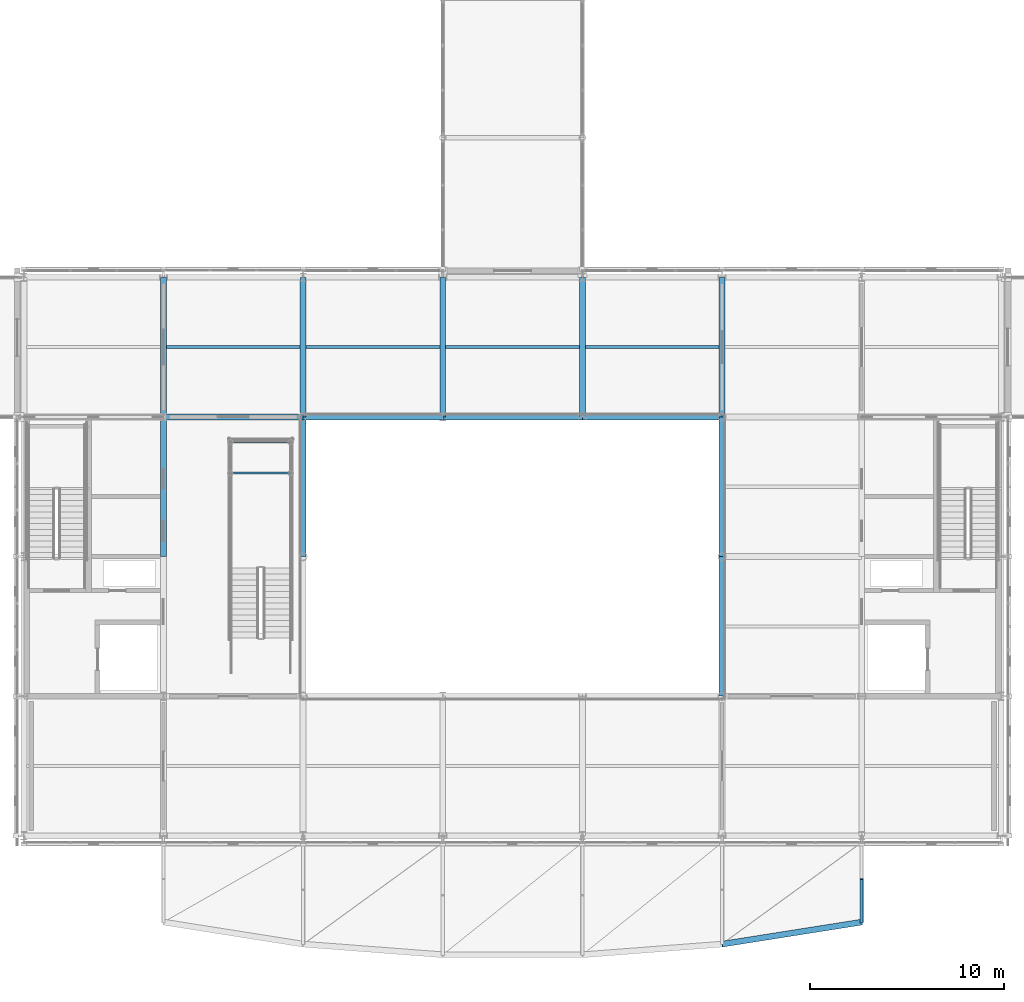
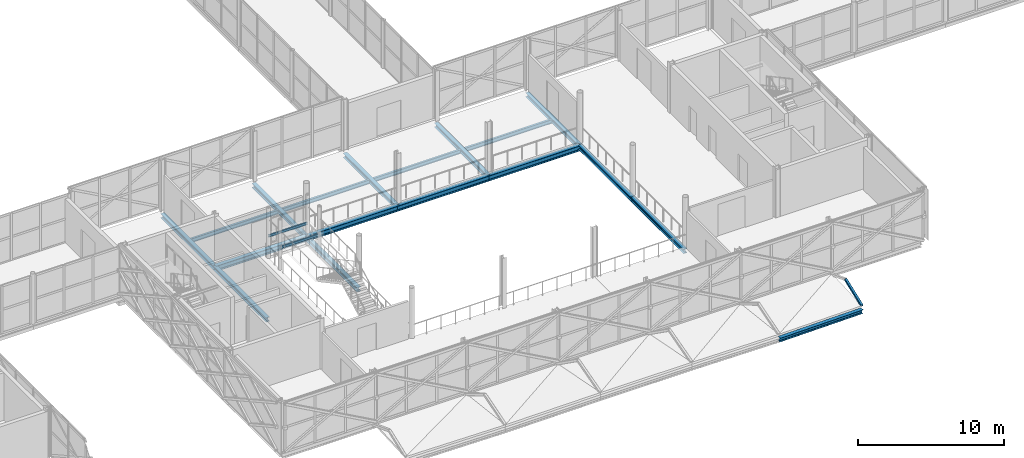
# One storey, part 40 of 146: 19 beams, 2 members.
"""IFC4 building model written with IfcOpenShell, lengths in metres."""

import ifcopenshell
import ifcopenshell.guid

model = None  # the IFC model being written
_history = None  # IfcOwnerHistory: only IFC2X3 demands one
_inside = {}  # id of a spatial element -> (the spatial element, [elements in it])
_under = {}  # id of a project, library or spatial element -> (it, [spatial elements below it])
_declared = {}  # id of a project -> (the project, [libraries it declares])
_typed = {}  # id of a type object -> (the type object, [elements of that type])
_made_of = {}  # id of a material, layer set ... -> (it, [elements and type objects made of it])


def new_model(schema):
    """Start an empty IFC model of exactly this schema.

    Asked for "IFC4X3", IfcOpenShell would pick the latest addendum, in which some entities
    have other attributes; the version numbers below select the first issue.
    IFC2X3 requires an IfcOwnerHistory on every rooted entity: one is made here for all.
    """
    global model, _history
    if schema == "IFC4X3":
        model = ifcopenshell.file(schema_version=(4, 3, 0, 0))
    else:
        model = ifcopenshell.file(schema=schema)
    _inside.clear()
    _under.clear()
    _declared.clear()
    _typed.clear()
    _made_of.clear()
    _history = None
    if model.schema == "IFC2X3":
        org = make("IfcOrganization", Name="unknown")
        user = make(
            "IfcPersonAndOrganization",
            ThePerson=make("IfcPerson", FamilyName="unknown"),
            TheOrganization=org,
        )
        app = make(
            "IfcApplication",
            ApplicationDeveloper=org,
            Version="unknown",
            ApplicationFullName="unknown",
            ApplicationIdentifier="unknown",
        )
        _history = make(
            "IfcOwnerHistory",
            OwningUser=user,
            OwningApplication=app,
            ChangeAction="ADDED",
            CreationDate=0,
        )
    return model


def make(cls, **values):
    """One entity of the class cls with the attributes given. An attribute that is None is left unset."""
    return model.create_entity(
        cls, **{name: value for name, value in values.items() if value is not None}
    )


def rooted(cls, **values):
    """An entity with a GlobalId (a new one), such as an element, a storey or a relation."""
    return make(cls, GlobalId=ifcopenshell.guid.new(), OwnerHistory=_history, **values)


def si_unit(unit_type, name, prefix=None):
    """IfcSIUnit, for example si_unit("LENGTHUNIT", "METRE", prefix="MILLI")."""
    return make("IfcSIUnit", UnitType=unit_type, Prefix=prefix, Name=name)


def assignment(units):
    """IfcUnitAssignment: the units of a project."""
    return None if units is None else make("IfcUnitAssignment", Units=units)


def point(xyz):
    """IfcCartesianPoint."""
    return None if xyz is None else make("IfcCartesianPoint", Coordinates=xyz)


def direction(xyz):
    """IfcDirection."""
    return None if xyz is None else make("IfcDirection", DirectionRatios=xyz)


def frame(location, z_axis=None, x_axis=None):
    """IfcAxis2Placement3D, a coordinate frame: its origin and axes. An axis left out is left unset."""
    return make(
        "IfcAxis2Placement3D",
        Location=point(location),
        Axis=direction(z_axis),
        RefDirection=direction(x_axis),
    )


def frame_2d(location, x_axis=None):
    """IfcAxis2Placement2D, a coordinate frame in the plane: its origin and x axis."""
    return make(
        "IfcAxis2Placement2D", Location=point(location), RefDirection=direction(x_axis)
    )


def origin():
    """The frame at (0, 0, 0) with its axes left unset."""
    return frame((0.0, 0.0, 0.0))


def origin_2d():
    """The frame at (0, 0) in the plane with its x axis left unset."""
    return frame_2d((0.0, 0.0))


def place(relative_to, where):
    """IfcLocalPlacement: puts the frame where relative to a parent placement (None: the world)."""
    return make(
        "IfcLocalPlacement", PlacementRelTo=relative_to, RelativePlacement=where
    )


def context(
    kind, dimensions, precision=None, world=None, true_north=None, identifier=None
):
    """IfcGeometricRepresentationContext, for example the 3D "Model" context."""
    return make(
        "IfcGeometricRepresentationContext",
        ContextIdentifier=identifier,
        ContextType=kind,
        CoordinateSpaceDimension=dimensions,
        Precision=precision,
        WorldCoordinateSystem=world,
        TrueNorth=true_north,
    )


def subcontext(parent, identifier, kind, view, scale=None):
    """IfcGeometricRepresentationSubContext, for example "Body" below "Model"."""
    return make(
        "IfcGeometricRepresentationSubContext",
        ContextIdentifier=identifier,
        ContextType=kind,
        ParentContext=parent,
        TargetScale=scale,
        TargetView=view,
    )


def project(units=None, contexts=None):
    """IfcProject with its units and contexts."""
    return rooted(
        "IfcProject",
        Name="project",
        RepresentationContexts=contexts,
        UnitsInContext=assignment(units),
    )


def spatial(cls, under=None, at=None, **own):
    """A site, building, storey or space (cls), placed at a placement, below another one or the project."""
    s = rooted(cls, ObjectPlacement=at, **own)
    if under is not None:
        _under.setdefault(under.id(), (under, []))[1].append(s)
    return s


def profile(cls, at=None, kind="AREA", **sizes):
    """A parametric profile (cls). Its sizes go by their IFC names, for example OverallWidth=200.0."""
    return make(cls, ProfileType=kind, Position=at, **sizes)


def hollow_rectangle(**sizes):
    """IfcRectangleHollowProfileDef."""
    return profile("IfcRectangleHollowProfileDef", **sizes)


def i_section(**sizes):
    """IfcIShapeProfileDef."""
    return profile("IfcIShapeProfileDef", **sizes)


def extrude(swept, where, along, depth):
    """IfcExtrudedAreaSolid: the profile swept, set in the frame where, extruded along a direction by depth."""
    return make(
        "IfcExtrudedAreaSolid",
        SweptArea=swept,
        Position=where,
        ExtrudedDirection=direction(along),
        Depth=depth,
    )


def shape(context_of_items, identifier, shape_type, items):
    """IfcShapeRepresentation: the items that make up one representation, for example the "Body"."""
    return make(
        "IfcShapeRepresentation",
        ContextOfItems=context_of_items,
        RepresentationIdentifier=identifier,
        RepresentationType=shape_type,
        Items=items,
    )


def material(Name=None, Category=None):
    """IfcMaterial."""
    return make("IfcMaterial", Name=Name, Category=Category)


def material_profile(
    of_material, cross_section, Name=None, Category=None, Priority=None
):
    """IfcMaterialProfile: a cross section and its material."""
    return make(
        "IfcMaterialProfile",
        Name=Name,
        Material=of_material,
        Profile=cross_section,
        Priority=Priority,
        Category=Category,
    )


def profile_set(profiles, Name=None, composite=None):
    """IfcMaterialProfileSet."""
    return make(
        "IfcMaterialProfileSet",
        Name=Name,
        MaterialProfiles=profiles,
        CompositeProfile=composite,
    )


def made_of(thing, what):
    """Note that an element or type object is made of a material, layer set ...; save() writes the relation."""
    if what is not None:
        _made_of.setdefault(what.id(), (what, []))[1].append(thing)
    return thing


def type_object(cls, material=None, **own):
    """A type object (cls), such as IfcWallType, which elements share."""
    return made_of(rooted(cls, **own), material)


def element(
    cls,
    number,
    at=None,
    inside=None,
    cuts=None,
    type_object=None,
    material=None,
    context=None,
    identifier="Body",
    shape_type=None,
    held_by="IfcProductDefinitionShape",
    body=None,
    shapes=None,
    **own,
):
    """One element of the class cls, such as IfcWall. Its Tag is "e" and its number.

    at: its placement. inside: the storey or other place that contains it. cuts: it is an
    opening in that element (IfcRelVoidsElement). A single representation is given by context,
    identifier, shape_type and body (its items); several are given by shapes. held_by: the class
    of the entity that holds the representations. save() writes the other relations.
    """
    e = rooted(cls, Tag="e%d" % number, ObjectPlacement=at, **own)
    if body is not None:
        shapes = [shape(context, identifier, shape_type, body)]
    if shapes is not None:
        e.Representation = make(held_by, Representations=shapes)
    if inside is not None:
        _inside.setdefault(inside.id(), (inside, []))[1].append(e)
    if cuts is not None:
        rooted(
            "IfcRelVoidsElement", RelatingBuildingElement=cuts, RelatedOpeningElement=e
        )
    if type_object is not None:
        _typed.setdefault(type_object.id(), (type_object, []))[1].append(e)
    return made_of(e, material)


def aggregate(whole, parts):
    """IfcRelAggregates: a whole, such as a stair, and the parts it consists of."""
    return rooted("IfcRelAggregates", RelatingObject=whole, RelatedObjects=parts)


def save(model, path):
    """Write the relations noted so far, then the file.

    IfcRelAggregates (storeys below a building ...), IfcRelContainedInSpatialStructure (elements
    in a storey), IfcRelDefinesByType, IfcRelAssociatesMaterial and IfcRelDeclares: one each for
    every whole, place, type object, material and project.
    """
    for whole, parts in _under.values():
        aggregate(whole, parts)
    for where, things in _inside.values():
        rooted(
            "IfcRelContainedInSpatialStructure",
            RelatedElements=things,
            RelatingStructure=where,
        )
    for kind, things in _typed.values():
        rooted("IfcRelDefinesByType", RelatedObjects=things, RelatingType=kind)
    for what, things in _made_of.values():
        rooted("IfcRelAssociatesMaterial", RelatedObjects=things, RelatingMaterial=what)
    for by, libraries in _declared.values():
        rooted("IfcRelDeclares", RelatingContext=by, RelatedDefinitions=libraries)
    model.write(path)


model = new_model("IFC4")

# Units and contexts
model_context = context("Model", 3, precision=1e-05, world=origin(), true_north=direction((0.0, 1.0)))
body_context = subcontext(model_context, "Body", "Model", "MODEL_VIEW")
ifc_project = project(units=[si_unit("LENGTHUNIT", "METRE"), si_unit("AREAUNIT", "SQUARE_METRE"), si_unit("VOLUMEUNIT", "CUBIC_METRE"), si_unit("PLANEANGLEUNIT", "RADIAN"), si_unit("MASSUNIT", "GRAM", prefix="KILO")], contexts=[model_context])

# Site, building, storey
site_placement = place(None, origin())
site = spatial("IfcSite", under=ifc_project, at=site_placement, CompositionType="ELEMENT")
building_placement = place(site_placement, origin())
building = spatial("IfcBuilding", under=site, at=building_placement, Name="Zlatovets Crest Museum", CompositionType="ELEMENT")
storey_placement = place(building_placement, frame((0.0, 0.0, 4.5)))
storey = spatial("IfcBuildingStorey", under=building, at=storey_placement, Name="L01", CompositionType="ELEMENT", Elevation=4.5)

# Beams
ifc_material = material(Name="Structural steel S355J2", Category="steel")
ifc_material_profile_1 = material_profile(ifc_material, i_section(OverallWidth=0.300048828125, OverallDepth=0.35009765625, WebThickness=0.010009765625, FlangeThickness=0.017578125, FilletRadius=0.027099609375, at=origin_2d()), Name="HEA 360")
ifc_profile_set_1 = profile_set([ifc_material_profile_1], Name="Structural steel S355J2")
beam_type_1 = type_object("IfcBeamType", Name="Beam_B-03", PredefinedType="BEAM", material=ifc_profile_set_1)
beam_1_placement = place(storey_placement, frame((64.800048828125, 14.39990234375, -0.39501953125), z_axis=(0.0, 1.0, 0.0), x_axis=(-1.0, 0.0, 0.0)))
element("IfcBeam", 1, at=beam_1_placement, inside=storey, type_object=beam_type_1, Name="V2 L01 Grid Beam B-03", PredefinedType="BEAM", context=body_context, shape_type="SweptSolid", body=[
    extrude(i_section(OverallWidth=0.300048828125, OverallDepth=0.35009765625, WebThickness=0.010009765625, FlangeThickness=0.017578125, FilletRadius=0.027099609375, at=origin_2d()), origin(), (0.0, 0.0, 1.0), 7.2001953125),
])
beam_2_placement = place(storey_placement, frame((64.800048828125, 21.60009765625, -0.39501953125), z_axis=(0.0, 1.0, 0.0), x_axis=(-1.0, 0.0, 0.0)))
element("IfcBeam", 2, at=beam_2_placement, inside=storey, type_object=beam_type_1, Name="V2 L01 Grid Beam B-03", PredefinedType="BEAM", context=body_context, shape_type="SweptSolid", body=[
    extrude(i_section(OverallWidth=0.300048828125, OverallDepth=0.35009765625, WebThickness=0.010009765625, FlangeThickness=0.017578125, FilletRadius=0.027099609375, at=origin_2d()), origin(), (0.0, 0.0, 1.0), 7.199951171875),
])
beam_3_placement = place(storey_placement, frame((72.0, 14.39990234375, -0.39501953125), z_axis=(0.0, 1.0, 0.0), x_axis=(-1.0, 0.0, 0.0)))
element("IfcBeam", 3, at=beam_3_placement, inside=storey, type_object=beam_type_1, Name="V2 L01 Grid Beam B-03", PredefinedType="BEAM", context=body_context, shape_type="SweptSolid", body=[
    extrude(i_section(OverallWidth=0.300048828125, OverallDepth=0.35009765625, WebThickness=0.010009765625, FlangeThickness=0.017578125, FilletRadius=0.027099609375, at=origin_2d()), origin(), (0.0, 0.0, 1.0), 7.2001953125),
])
for number, where, z_axis, x_axis, name in (
    (4, (72.0, 21.60009765625, -0.39501953125), (0.0, 1.0, 0.0), (-1.0, 0.0, 0.0), "V2 L01 Grid Beam B-03"),
    (5, (79.199951171875, 21.60009765625, -0.39501953125), (0.0, 1.0, 0.0), (-1.0, 0.0, 0.0), "V2 L01 Grid Beam B-03"),
    (6, (86.39990234375, 21.60009765625, -0.39501953125), (0.0, 1.0, 0.0), (-1.0, 0.0, 0.0), "V2 L01 Grid Beam B-03"),
    (7, (93.60009765625, 7.199951171875, -0.39501953125), (0.0, 1.0, 0.0), (-1.0, 0.0, 0.0), "V2 L01 Grid Beam B-03"),
):
    element("IfcBeam", number, at=place(storey_placement, frame(where, z_axis=z_axis, x_axis=x_axis)), inside=storey, type_object=beam_type_1, Name=name, PredefinedType="BEAM", context=body_context, shape_type="SweptSolid", body=[
        extrude(i_section(OverallWidth=0.300048828125, OverallDepth=0.35009765625, WebThickness=0.010009765625, FlangeThickness=0.017578125, FilletRadius=0.027099609375, at=origin_2d()), origin(), (0.0, 0.0, 1.0), 7.199951171875),
    ])
beam_4_placement = place(storey_placement, frame((93.60009765625, 14.39990234375, -0.39501953125), z_axis=(0.0, 1.0, 0.0), x_axis=(-1.0, 0.0, 0.0)))
element("IfcBeam", 8, at=beam_4_placement, inside=storey, type_object=beam_type_1, Name="V2 L01 Grid Beam B-03", PredefinedType="BEAM", context=body_context, shape_type="SweptSolid", body=[
    extrude(i_section(OverallWidth=0.300048828125, OverallDepth=0.35009765625, WebThickness=0.010009765625, FlangeThickness=0.017578125, FilletRadius=0.027099609375, at=origin_2d()), origin(), (0.0, 0.0, 1.0), 7.2001953125),
])
beam_5_placement = place(storey_placement, frame((93.60009765625, 21.60009765625, -0.39501953125), z_axis=(0.0, 1.0, 0.0), x_axis=(-1.0, 0.0, 0.0)))
element("IfcBeam", 9, at=beam_5_placement, inside=storey, type_object=beam_type_1, Name="V2 L01 Grid Beam B-03", PredefinedType="BEAM", context=body_context, shape_type="SweptSolid", body=[
    extrude(i_section(OverallWidth=0.300048828125, OverallDepth=0.35009765625, WebThickness=0.010009765625, FlangeThickness=0.017578125, FilletRadius=0.027099609375, at=origin_2d()), origin(), (0.0, 0.0, 1.0), 7.199951171875),
])
ifc_material_profile_2 = material_profile(ifc_material, i_section(OverallWidth=0.300048828125, OverallDepth=0.43994140625, WebThickness=0.011474609375, FlangeThickness=0.02099609375, FilletRadius=0.027099609375, at=origin_2d()), Name="HEA 450")
ifc_profile_set_2 = profile_set([ifc_material_profile_2], Name="Structural steel S355J2")
beam_type_2 = type_object("IfcBeamType", Name="Beam_B-10", PredefinedType="BEAM", material=ifc_profile_set_2)
for number, where, z_axis, x_axis, name in (
    (10, (64.800048828125, 21.60009765625, -0.43994140625), (1.0, 0.0, 0.0), (0.0, 1.0, 0.0), "V2 L01 Primary Girder B-10"),
    (11, (72.0, 21.60009765625, -0.43994140625), (1.0, 0.0, 0.0), (0.0, 1.0, 0.0), "V2 L01 Primary Girder B-10"),
    (12, (79.199951171875, 21.60009765625, -0.43994140625), (1.0, 0.0, 0.0), (0.0, 1.0, 0.0), "V2 L01 Primary Girder B-10"),
):
    element("IfcBeam", number, at=place(storey_placement, frame(where, z_axis=z_axis, x_axis=x_axis)), inside=storey, type_object=beam_type_2, Name=name, PredefinedType="BEAM", context=body_context, shape_type="SweptSolid", body=[
        extrude(i_section(OverallWidth=0.300048828125, OverallDepth=0.43994140625, WebThickness=0.011474609375, FlangeThickness=0.02099609375, FilletRadius=0.027099609375, at=origin_2d()), origin(), (0.0, 0.0, 1.0), 7.199951171875),
    ])
beam_6_placement = place(storey_placement, frame((86.39990234375, 21.60009765625, -0.43994140625), z_axis=(1.0, 0.0, 0.0), x_axis=(0.0, 1.0, 0.0)))
element("IfcBeam", 13, at=beam_6_placement, inside=storey, type_object=beam_type_2, Name="V2 L01 Primary Girder B-10", PredefinedType="BEAM", context=body_context, shape_type="SweptSolid", body=[
    extrude(i_section(OverallWidth=0.300048828125, OverallDepth=0.43994140625, WebThickness=0.011474609375, FlangeThickness=0.02099609375, FilletRadius=0.027099609375, at=origin_2d()), origin(), (0.0, 0.0, 1.0), 7.2001953125),
])
ifc_material_profile_3 = material_profile(ifc_material, i_section(OverallWidth=0.159912109375, OverallDepth=0.330078125, WebThickness=0.007568359375, FlangeThickness=0.011474609375, FilletRadius=0.01806640625, at=origin_2d()), Name="IPE 330")
ifc_profile_set_3 = profile_set([ifc_material_profile_3], Name="Structural steel S355J2")
beam_type_3 = type_object("IfcBeamType", Name="Beam_J-09", PredefinedType="JOIST", material=ifc_profile_set_3)
for number, where, z_axis, x_axis, name in (
    (14, (64.949951171875, 25.199951171875, -0.385009765625), (1.0, 0.0, 0.0), (0.0, 1.0, 0.0), "V2 L01 Composite Joist J-09"),
    (15, (72.14990234375, 25.199951171875, -0.385009765625), (1.0, 0.0, 0.0), (0.0, 1.0, 0.0), "V2 L01 Composite Joist J-09"),
):
    element("IfcBeam", number, at=place(storey_placement, frame(where, z_axis=z_axis, x_axis=x_axis)), inside=storey, type_object=beam_type_3, Name=name, PredefinedType="JOIST", context=body_context, shape_type="SweptSolid", body=[
        extrude(i_section(OverallWidth=0.159912109375, OverallDepth=0.330078125, WebThickness=0.007568359375, FlangeThickness=0.011474609375, FilletRadius=0.01806640625, at=origin_2d()), origin(), (0.0, 0.0, 1.0), 6.900146484375),
    ])
for number, where, z_axis, x_axis, name in (
    (16, (79.35009765625, 25.199951171875, -0.385009765625), (1.0, 0.0, 0.0), (0.0, 1.0, 0.0), "V2 L01 Composite Joist J-09"),
    (17, (86.550048828125, 25.199951171875, -0.385009765625), (1.0, 0.0, 0.0), (0.0, 1.0, 0.0), "V2 L01 Composite Joist J-09"),
):
    element("IfcBeam", number, at=place(storey_placement, frame(where, z_axis=z_axis, x_axis=x_axis)), inside=storey, type_object=beam_type_3, Name=name, PredefinedType="JOIST", context=body_context, shape_type="SweptSolid", body=[
        extrude(i_section(OverallWidth=0.159912109375, OverallDepth=0.330078125, WebThickness=0.007568359375, FlangeThickness=0.011474609375, FilletRadius=0.01806640625, at=origin_2d()), origin(), (0.0, 0.0, 1.0), 6.89990234375),
    ])
ifc_material_profile_4 = material_profile(ifc_material, i_section(OverallWidth=0.10009765625, OverallDepth=0.199951171875, WebThickness=0.005615234375, FlangeThickness=0.008544921875, FilletRadius=0.011962890625, at=origin_2d()), Name="IPE 200")
ifc_profile_set_4 = profile_set([ifc_material_profile_4], Name="Structural steel S355J2")
beam_type_4 = type_object("IfcBeamType", Name="Beam_PR-02", PredefinedType="LINTEL", material=ifc_profile_set_4)
for number, where, z_axis, x_axis, name in (
    (18, (68.25, 18.699951171875, 1.800048828125), (1.0, 0.0, 0.0), (0.0, 1.0, 0.0), "Atrium Stair L01 Landing Beam"),
    (19, (68.25, 20.300048828125, 1.800048828125), (1.0, 0.0, 0.0), (0.0, 1.0, 0.0), "Atrium Stair L01 Landing Beam"),
):
    element("IfcBeam", number, at=place(storey_placement, frame(where, z_axis=z_axis, x_axis=x_axis)), inside=storey, type_object=beam_type_4, Name=name, PredefinedType="LINTEL", context=body_context, shape_type="SweptSolid", body=[
        extrude(i_section(OverallWidth=0.10009765625, OverallDepth=0.199951171875, WebThickness=0.005615234375, FlangeThickness=0.008544921875, FilletRadius=0.011962890625, at=origin_2d()), origin(), (0.0, 0.0, 1.0), 3.10009765625),
    ])

# Members
ifc_material_profile_5 = material_profile(ifc_material, i_section(OverallWidth=0.300048828125, OverallDepth=0.31005859375, WebThickness=0.009033203125, FlangeThickness=0.015380859375, FilletRadius=0.027099609375, at=origin_2d()), Name="HEA 320")
ifc_profile_set_5 = profile_set([ifc_material_profile_5], Name="Structural steel S355J2")
member_type_1 = type_object("IfcMemberType", Name="Member_TM-02", PredefinedType="RAFTER", material=ifc_profile_set_5)
member_1_placement = place(storey_placement, frame((93.60009765625, -5.584716796875, 0.0029296875), z_axis=(0.981539020868, 0.154897514602, -0.112195857697), x_axis=(-0.155881734388, 0.987775726005, 0.0)))
element("IfcMember", 20, at=member_1_placement, inside=storey, type_object=member_type_1, Name="Art Nouveau Curved Marquee Arch Fascia", PredefinedType="RAFTER", context=body_context, shape_type="SweptSolid", body=[
    extrude(i_section(OverallWidth=0.300048828125, OverallDepth=0.31005859375, WebThickness=0.009033203125, FlangeThickness=0.015380859375, FilletRadius=0.027099609375, at=origin_2d()), origin(), (0.0, 0.0, 1.0), 7.33544921875),
])
ifc_material_profile_6 = material_profile(ifc_material, hollow_rectangle(XDim=0.179931640625, YDim=0.179931640625, WallThickness=0.010009765625, InnerFilletRadius=0.010009765625, OuterFilletRadius=0.02001953125, at=origin_2d()), Name="SHS 180x180x10.0")
ifc_profile_set_6 = profile_set([ifc_material_profile_6], Name="Structural steel S355J2")
member_type_2 = type_object("IfcMemberType", Name="Member_TM-04", PredefinedType="STRUT", material=ifc_profile_set_6)
member_2_placement = place(storey_placement, frame((100.800048828125, -2.224365234375, 0.449951171875), z_axis=(0.0, -0.93412827255, -0.356937488117), x_axis=(1.0, 0.0, 0.0)))
element("IfcMember", 21, at=member_2_placement, inside=storey, type_object=member_type_2, Name="Art Nouveau Marquee Vault Rib Outer", PredefinedType="STRUT", context=body_context, shape_type="SweptSolid", body=[
    extrude(hollow_rectangle(XDim=0.179931640625, YDim=0.179931640625, WallThickness=0.010009765625, InnerFilletRadius=0.010009765625, OuterFilletRadius=0.02001953125, at=origin_2d()), origin(), (0.0, 0.0, 1.0), 2.380859375),
])

save(model, "model.ifc")
